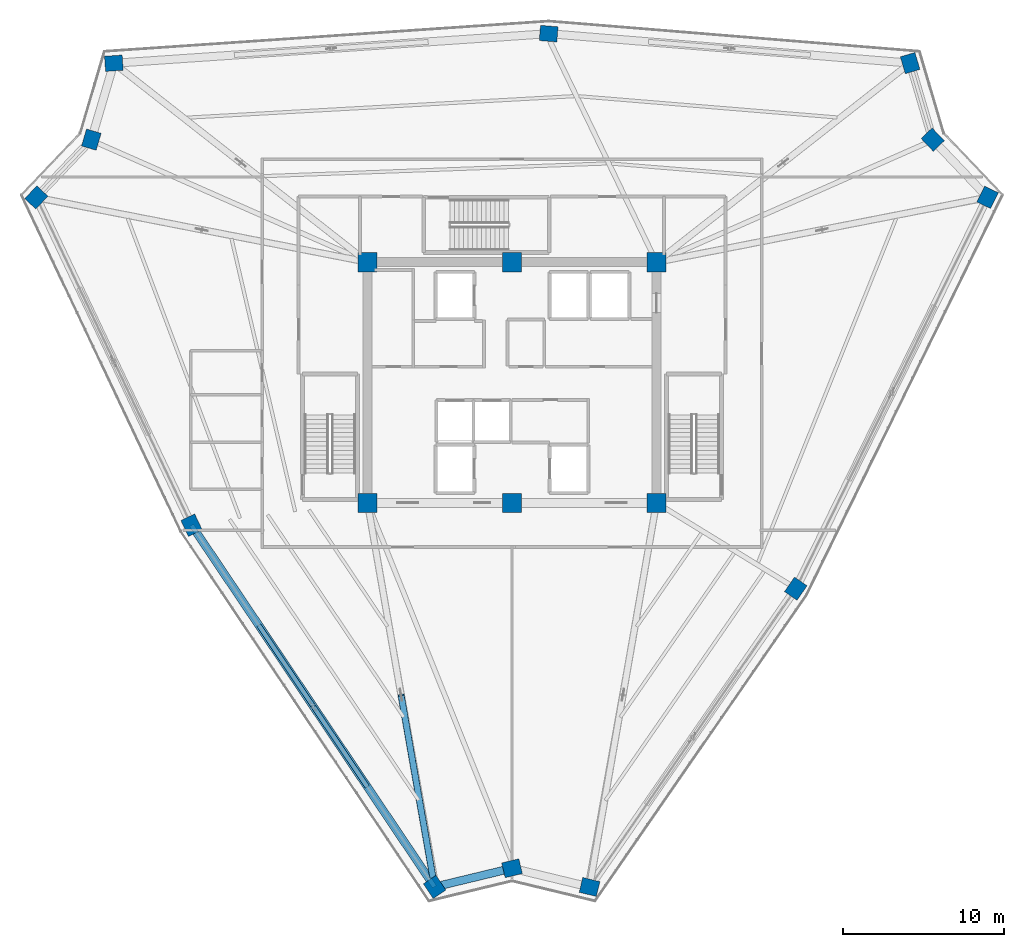
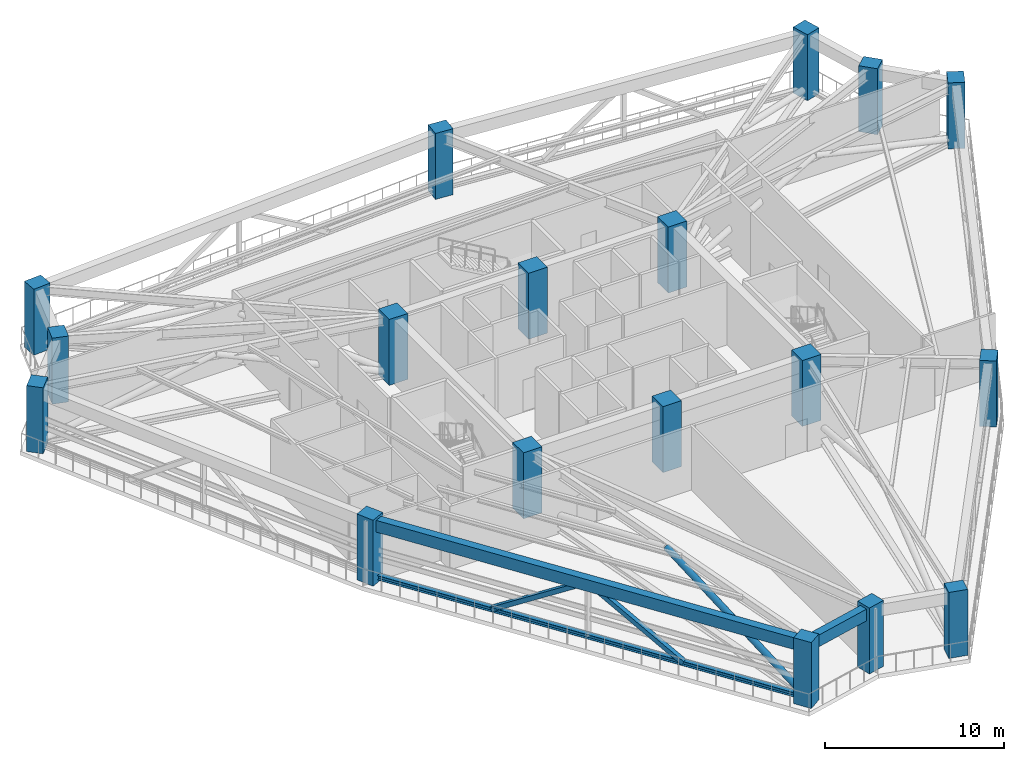
# One storey, part 1 of 22: 18 columns, 4 members, 2 beams.
"""IFC4 building model written with IfcOpenShell, lengths in metres."""

from ifc_helpers import new_model, si_unit, direction, frame, origin, origin_2d, place, context, subcontext, project, spatial, rectangle, hollow_rectangle, hollow_circle, i_section, extrude, source, transform, mapped, material, material_profile, profile_set, type_object, element, save


model = new_model("IFC4")

# Units and contexts
model_context = context("Model", 3, precision=1e-05, world=origin(), true_north=direction((0.0, 1.0)))
body_context = subcontext(model_context, "Body", "Model", "MODEL_VIEW")
ifc_project = project(units=[si_unit("LENGTHUNIT", "METRE"), si_unit("AREAUNIT", "SQUARE_METRE"), si_unit("VOLUMEUNIT", "CUBIC_METRE"), si_unit("PLANEANGLEUNIT", "RADIAN"), si_unit("MASSUNIT", "GRAM", prefix="KILO")], contexts=[model_context])

# Site, building, storey
site_placement = place(None, origin())
site = spatial("IfcSite", under=ifc_project, at=site_placement, CompositionType="ELEMENT")
building_placement = place(site_placement, origin())
building = spatial("IfcBuilding", under=site, at=building_placement, Name="Liaohun Quay Tower", CompositionType="ELEMENT")
storey_placement = place(building_placement, frame((0.0, 0.0, 324.0)))
storey = spatial("IfcBuildingStorey", under=building, at=storey_placement, Name="L84", CompositionType="ELEMENT", Elevation=324.0)

# Columns
ifc_material_1 = material(Name="Concrete C50", Category="concrete")
ifc_material_profile_1 = material_profile(ifc_material_1, rectangle(XDim=1.199951171875, YDim=1.199951171875, at=origin_2d()), Name="RC1200x1200")
ifc_profile_set_1 = profile_set([ifc_material_profile_1], Name="Concrete C50")
column_type_1 = type_object("IfcColumnType", Name="COL-CC-Z4", PredefinedType="COLUMN", material=ifc_profile_set_1)
shared_shape_1 = source(origin(), body_context, "Body", "SweptSolid", [
    extrude(rectangle(XDim=1.199951171875, YDim=1.199951171875, at=origin_2d()), origin(), (0.0, 0.0, 1.0), 4.5),
])
for number, where, z_axis, x_axis, name in (
    (1, (51.0, 46.5, 0.0), (0.0, 0.0, 1.0), (1.0, 0.0, 0.0), "L84 Core Column CC1"),
    (2, (60.0, 46.5, 0.0), (0.0, 0.0, 1.0), (1.0, 0.0, 0.0), "L84 Core Column CC2"),
    (3, (69.0, 46.5, 0.0), (0.0, 0.0, 1.0), (1.0, 0.0, 0.0), "L84 Core Column CC3"),
    (4, (69.0, 61.5, 0.0), (0.0, 0.0, 1.0), (1.0, 0.0, 0.0), "L84 Core Column CC4"),
    (5, (60.0, 61.5, 0.0), (0.0, 0.0, 1.0), (1.0, 0.0, 0.0), "L84 Core Column CC5"),
    (6, (51.0, 61.5, 0.0), (0.0, 0.0, 1.0), (1.0, 0.0, 0.0), "L84 Core Column CC6"),
):
    element("IfcColumn", number, at=place(storey_placement, frame(where, z_axis=z_axis, x_axis=x_axis)), inside=storey, type_object=column_type_1, Name=name, PredefinedType="COLUMN", context=body_context, shape_type="MappedRepresentation", body=[
        mapped(shared_shape_1, transform((0.0, 0.0, 0.0), x_axis=(1.0, 0.0, 0.0), y_axis=(0.0, 1.0, 0.0), z_axis=(0.0, 0.0, 1.0), scale=1.0)),
    ])
ifc_material_profile_2 = material_profile(ifc_material_1, rectangle(XDim=1.10009765625, YDim=0.949951171875, at=origin_2d()), Name="RC1100x950")
ifc_profile_set_2 = profile_set([ifc_material_profile_2], Name="Concrete C50")
column_type_2 = type_object("IfcColumnType", Name="COL-PIER-Z4", PredefinedType="COLUMN", material=ifc_profile_set_2)
shared_shape_2 = source(origin(), body_context, "Body", "SweptSolid", [
    extrude(rectangle(XDim=1.10009765625, YDim=0.949951171875, at=origin_2d()), origin(), (0.0, 0.0, 1.0), 4.5),
])
for number, where, z_axis, x_axis, name in (
    (7, (55.177001953125, 22.571044921875, 0.0), (0.0, 0.0, 1.0), (-0.557600236013, 0.830109617338, 0.0), "L84 Perimeter Pier PC01"),
    (8, (40.034912109375, 45.112060546875, 0.0), (0.0, 0.0, 1.0), (-0.427988927879, 0.903783977294, 0.0), "L84 Perimeter Pier PC02"),
    (9, (30.364013671875, 65.531982421875, 0.0), (0.0, 0.0, 1.0), (0.68936671806, 0.724412539946, 0.0), "L84 Perimeter Pier PC03"),
    (10, (33.7900390625, 69.132080078125, 0.0), (0.0, 0.0, 1.0), (0.282676303383, 0.959215360337, 0.0), "L84 Perimeter Pier PC04"),
    (11, (35.193115234375, 73.89111328125, 0.0), (0.0, 0.0, 1.0), (0.997696134548, 0.067841160875, 0.0), "L84 Perimeter Pier PC05"),
    (12, (62.284912109375, 75.73388671875, 0.0), (0.0, 0.0, 1.0), (-0.996694347809, 0.081242704565, 0.0), "L84 Perimeter Pier PC06"),
    (13, (84.804931640625, 73.89892578125, 0.0), (0.0, 0.0, 1.0), (-0.282676303383, 0.959215360337, 0.0), "L84 Perimeter Pier PC07"),
    (14, (86.2099609375, 69.132080078125, 0.0), (0.0, 0.0, 1.0), (-0.68936671806, 0.724412539946, 0.0), "L84 Perimeter Pier PC08"),
    (15, (89.6298828125, 65.5380859375, 0.0), (0.0, 0.0, 1.0), (0.440095898534, 0.897950778213, 0.0), "L84 Perimeter Pier PC09"),
    (16, (77.679931640625, 41.154052734375, 0.0), (0.0, 0.0, 1.0), (0.56870541993, 0.822541272729, 0.0), "L84 Perimeter Pier PC10"),
    (17, (64.8310546875, 22.569091796875, 0.0), (0.0, 0.0, 1.0), (-0.972083987461, 0.234633163303, 0.0), "L84 Perimeter Pier PC11"),
    (18, (60.0, 23.735107421875, 0.0), (0.0, 0.0, 1.0), (0.972083987461, 0.234633163303, 0.0), "L84 Perimeter Pier PC12"),
):
    element("IfcColumn", number, at=place(storey_placement, frame(where, z_axis=z_axis, x_axis=x_axis)), inside=storey, type_object=column_type_2, Name=name, PredefinedType="COLUMN", context=body_context, shape_type="MappedRepresentation", body=[
        mapped(shared_shape_2, transform((0.0, 0.0, 0.0), x_axis=(1.0, 0.0, 0.0), y_axis=(0.0, 1.0, 0.0), z_axis=(0.0, 0.0, 1.0), scale=1.0)),
    ])

# Beams
ifc_material_2 = material(Name="Precast concrete C50", Category="concrete")
ifc_material_profile_3 = material_profile(ifc_material_2, rectangle(XDim=0.5, YDim=0.800048828125, at=origin_2d()), Name="RC500x800")
ifc_profile_set_3 = profile_set([ifc_material_profile_3], Name="Precast concrete C50")
beam_type = type_object("IfcBeamType", Name="BM-SPD-Z4", PredefinedType="SPANDREL", material=ifc_profile_set_3)
shared_shape_3 = source(origin(), body_context, "Body", "SweptSolid", [
    extrude(rectangle(XDim=0.5, YDim=0.800048828125, at=origin_2d()), origin(), (0.0, 0.0, 1.0), 27.15478515625),
])
beam_1_placement = place(storey_placement, frame((55.177001953125, 22.571044921875, 3.919921875), z_axis=(-0.557622208431, 0.830094857631, 0.0), x_axis=(-0.830094857631, -0.557622208431, 0.0)))
element("IfcBeam", 19, at=beam_1_placement, inside=storey, type_object=beam_type, Name="L84 Precast Spandrel Beam PC01-PC02", PredefinedType="SPANDREL", context=body_context, shape_type="MappedRepresentation", body=[
    mapped(shared_shape_3, transform((0.0, 0.0, 0.0), x_axis=(1.0, 0.0, 0.0), y_axis=(0.0, 1.0, 0.0), z_axis=(0.0, 0.0, 1.0), scale=1.0)),
])
shared_shape_4 = source(origin(), body_context, "Body", "SweptSolid", [
    extrude(rectangle(XDim=0.5, YDim=0.800048828125, at=origin_2d()), origin(), (0.0, 0.0, 1.0), 4.96142578125),
])
beam_2_placement = place(storey_placement, frame((60.0, 23.735107421875, 3.919921875), z_axis=(-0.972087239643, -0.234619689123, 0.0), x_axis=(0.234619689123, -0.972087239643, 0.0)))
element("IfcBeam", 20, at=beam_2_placement, inside=storey, type_object=beam_type, Name="L84 Precast Spandrel Beam PC12-PC01", PredefinedType="SPANDREL", context=body_context, shape_type="MappedRepresentation", body=[
    mapped(shared_shape_4, transform((0.0, 0.0, 0.0), x_axis=(1.0, 0.0, 0.0), y_axis=(0.0, 1.0, 0.0), z_axis=(0.0, 0.0, 1.0), scale=1.0)),
])

# Members
ifc_material_3 = material(Name="Steel Q420D", Category="steel")
ifc_material_profile_4 = material_profile(ifc_material_3, hollow_circle(Radius=0.202880859375, WallThickness=0.01611328125, at=origin_2d()), Name="CHS406x16")
ifc_profile_set_4 = profile_set([ifc_material_profile_4], Name="Steel Q420D")
member_type_1 = type_object("IfcMemberType", Name="MEM-OUT-DG2", PredefinedType="BRACE", material=ifc_profile_set_4)
shared_shape_5 = source(origin(), body_context, "Body", "SweptSolid", [
    extrude(hollow_circle(Radius=0.202880859375, WallThickness=0.01611328125, at=origin_2d()), origin(), (0.0, 0.0, 1.0), 12.687255859375),
])
member_1_placement = place(storey_placement, frame((53.087890625, 34.534912109375, 4.02001953125), z_axis=(0.16466200045, -0.942981964479, -0.289260160192), x_axis=(0.985094229682, 0.172015576757, 0.0)))
element("IfcMember", 21, at=member_1_placement, inside=storey, type_object=member_type_1, Name="L84 Outrigger Diagonal OD-01B", PredefinedType="BRACE", context=body_context, shape_type="MappedRepresentation", body=[
    mapped(shared_shape_5, transform((0.0, 0.0, 0.0), x_axis=(1.0, 0.0, 0.0), y_axis=(0.0, 1.0, 0.0), z_axis=(0.0, 0.0, 1.0), scale=1.0)),
])
ifc_material_4 = material(Name="Steel Q355D", Category="steel")
ifc_material_profile_5 = material_profile(ifc_material_4, i_section(OverallWidth=0.300048828125, OverallDepth=0.300048828125, WebThickness=0.010009765625, FlangeThickness=0.014892578125, at=origin_2d()), Name="HW300x300x10x15")
ifc_profile_set_5 = profile_set([ifc_material_profile_5], Name="Steel Q355D")
member_type_2 = type_object("IfcMemberType", Name="MEM-BLT-CHD", PredefinedType="CHORD", material=ifc_profile_set_5)
shared_shape_6 = source(origin(), body_context, "Body", "SweptSolid", [
    extrude(i_section(OverallWidth=0.300048828125, OverallDepth=0.300048828125, WebThickness=0.010009765625, FlangeThickness=0.014892578125, at=origin_2d()), origin(), (0.0, 0.0, 1.0), 27.15478515625),
])
member_2_placement = place(storey_placement, frame((55.177001953125, 22.571044921875, 0.35009765625), z_axis=(-0.557622208431, 0.830094857631, 0.0), x_axis=(-0.830094857631, -0.557622208431, 0.0)))
element("IfcMember", 22, at=member_2_placement, inside=storey, type_object=member_type_2, Name="L84 Belt Truss Bottom Chord BC-1-01", PredefinedType="CHORD", context=body_context, shape_type="MappedRepresentation", body=[
    mapped(shared_shape_6, transform((0.0, 0.0, 0.0), x_axis=(1.0, 0.0, 0.0), y_axis=(0.0, 1.0, 0.0), z_axis=(0.0, 0.0, 1.0), scale=1.0)),
])
ifc_material_profile_6 = material_profile(ifc_material_4, hollow_rectangle(XDim=0.300048828125, YDim=0.300048828125, WallThickness=0.013916015625, at=origin_2d()), Name="SHS300x300x14")
ifc_profile_set_6 = profile_set([ifc_material_profile_6], Name="Steel Q355D")
member_type_3 = type_object("IfcMemberType", Name="MEM-BLT-DG3", PredefinedType="BRACE", material=ifc_profile_set_6)
shared_shape_7 = source(origin(), body_context, "Body", "SweptSolid", [
    extrude(hollow_rectangle(XDim=0.300048828125, YDim=0.300048828125, WallThickness=0.013916015625, at=origin_2d()), origin(), (0.0, 0.0, 1.0), 7.01171875),
])
member_3_placement = place(storey_placement, frame((50.93701171875, 28.882080078125, 0.35009765625), z_axis=(-0.475063528272, 0.707372518351, 0.523391597551), x_axis=(-0.830159530527, -0.557525922155, 0.0)))
element("IfcMember", 23, at=member_3_placement, inside=storey, type_object=member_type_3, Name="L84 Belt Truss Diagonal BD-01A", PredefinedType="BRACE", context=body_context, shape_type="MappedRepresentation", body=[
    mapped(shared_shape_7, transform((0.0, 0.0, 0.0), x_axis=(1.0, 0.0, 0.0), y_axis=(0.0, 1.0, 0.0), z_axis=(0.0, 0.0, 1.0), scale=1.0)),
])
shared_shape_8 = source(origin(), body_context, "Body", "SweptSolid", [
    extrude(hollow_rectangle(XDim=0.300048828125, YDim=0.300048828125, WallThickness=0.013916015625, at=origin_2d()), origin(), (0.0, 0.0, 1.0), 7.01123046875),
])
member_4_placement = place(storey_placement, frame((47.60595703125, 33.842041015625, 4.02001953125), z_axis=(-0.475110333166, 0.70730292343, -0.523443163893), x_axis=(-0.830108714363, -0.557601580286, 0.0)))
element("IfcMember", 24, at=member_4_placement, inside=storey, type_object=member_type_3, Name="L84 Belt Truss Diagonal BD-01B", PredefinedType="BRACE", context=body_context, shape_type="MappedRepresentation", body=[
    mapped(shared_shape_8, transform((0.0, 0.0, 0.0), x_axis=(1.0, 0.0, 0.0), y_axis=(0.0, 1.0, 0.0), z_axis=(0.0, 0.0, 1.0), scale=1.0)),
])

save(model, "model.ifc")
